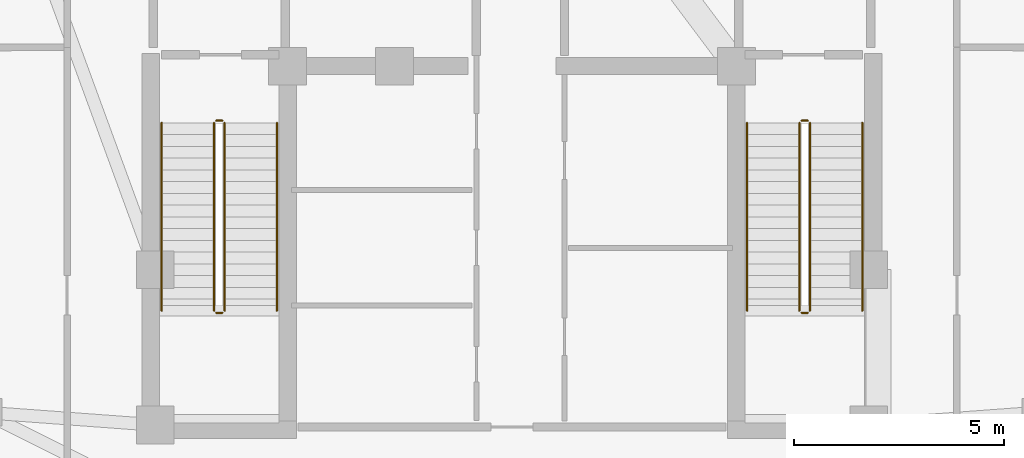
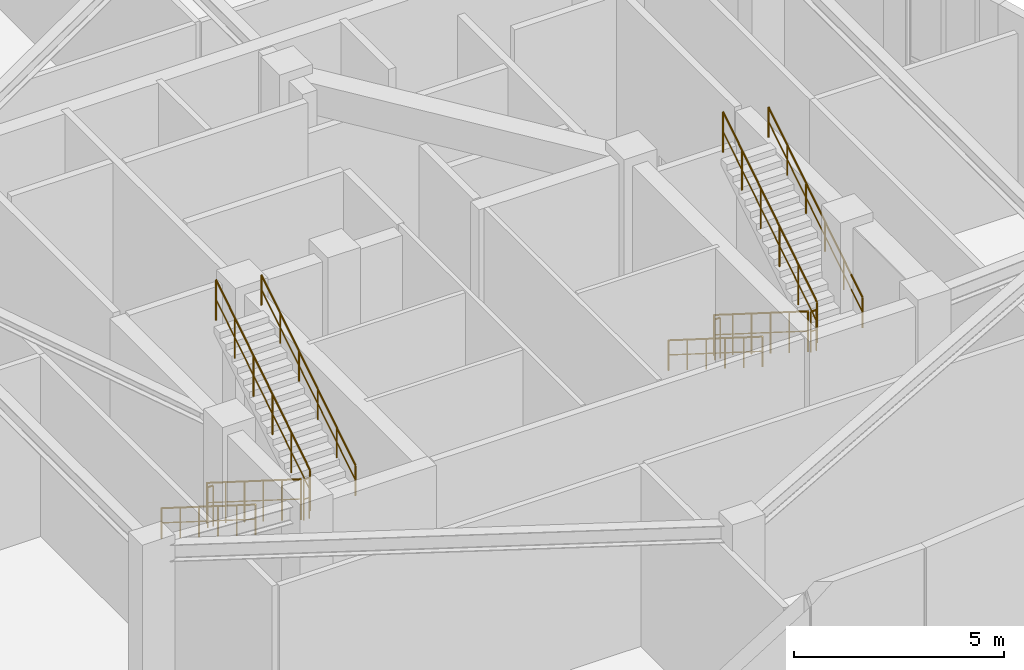
# One storey, part 11 of 11: 12 railings.
"""IFC4 building model written with IfcOpenShell, lengths in metres."""

from ifc_helpers import new_model, si_unit, direction, frame, origin, origin_2d, place, context, subcontext, project, spatial, circle, extrude, material, type_object, element, save


model = new_model("IFC4")

# Units and contexts
model_context = context("Model", 3, precision=1e-05, world=origin(), true_north=direction((0.0, 1.0)))
body_context = subcontext(model_context, "Body", "Model", "MODEL_VIEW")
ifc_project = project(units=[si_unit("LENGTHUNIT", "METRE"), si_unit("AREAUNIT", "SQUARE_METRE"), si_unit("VOLUMEUNIT", "CUBIC_METRE"), si_unit("PLANEANGLEUNIT", "RADIAN"), si_unit("MASSUNIT", "GRAM", prefix="KILO")], contexts=[model_context])

# Site, building, storey
site_placement = place(None, origin())
site = spatial("IfcSite", under=ifc_project, at=site_placement, CompositionType="ELEMENT")
building_placement = place(site_placement, origin())
building = spatial("IfcBuilding", under=site, at=building_placement, Name="Miruveldt Soraemaru", CompositionType="ELEMENT")
storey_placement = place(building_placement, frame((0.0, 0.0, 300.800048828125)))
storey = spatial("IfcBuildingStorey", under=building, at=storey_placement, Name="L80", CompositionType="ELEMENT", Elevation=300.800048828125)

# Railings
ifc_material = material(Name="Steel S355 (355 MPa)", Category="steel")
railing_type_1 = type_object("IfcRailingType", Name="RAIL-HR-900", PredefinedType="HANDRAIL", material=ifc_material)
railing_1_placement = place(storey_placement, frame((35.64990234375, 42.699951171875, 0.176513671875)))
element("IfcRailing", 1, at=railing_1_placement, inside=storey, type_object=railing_type_1, Name="L80 ST-1 stair handrail 1", PredefinedType="HANDRAIL", context=body_context, shape_type="SweptSolid", body=[
    extrude(circle(Radius=0.02392578125, at=origin_2d()), frame((0.0, 0.0, 0.8759765625), z_axis=(0.0, -0.845997938375, 0.533186166611), x_axis=(1.0, 0.0, 0.0)), (0.0, 0.0, 1.0), 5.29541015625),
    extrude(circle(Radius=0.01611328125, at=origin_2d()), frame((0.0, 0.0, 0.449951171875), z_axis=(0.0, -0.845997938375, 0.533186166611), x_axis=(1.0, 0.0, 0.0)), (0.0, 0.0, 1.0), 5.29541015625),
    extrude(circle(Radius=0.02099609375, at=origin_2d()), origin(), (0.0, 0.0, 1.0), 0.851806640625),
    extrude(circle(Radius=0.02099609375, at=origin_2d()), frame((0.0, -0.89599609375, 0.564697265625)), (0.0, 0.0, 1.0), 0.851806640625),
    extrude(circle(Radius=0.02099609375, at=origin_2d()), frame((0.0, -1.7919921875, 1.12939453125)), (0.0, 0.0, 1.0), 0.851806640625),
    extrude(circle(Radius=0.02099609375, at=origin_2d()), frame((0.0, -2.68798828125, 1.694091796875)), (0.0, 0.0, 1.0), 0.851806640625),
    extrude(circle(Radius=0.02099609375, at=origin_2d()), frame((0.0, -3.583984375, 2.2587890625)), (0.0, 0.0, 1.0), 0.851806640625),
    extrude(circle(Radius=0.02099609375, at=origin_2d()), frame((0.0, -4.47998046875, 2.823486328125)), (0.0, 0.0, 1.0), 0.851806640625),
])
railing_2_placement = place(storey_placement, frame((38.39990234375, 38.219970703125, 3.176513671875)))
element("IfcRailing", 2, at=railing_2_placement, inside=storey, type_object=railing_type_1, Name="L80 ST-1 stair handrail 2", PredefinedType="HANDRAIL", context=body_context, shape_type="SweptSolid", body=[
    extrude(circle(Radius=0.02392578125, at=origin_2d()), frame((0.0, 0.0, 0.8759765625), z_axis=(0.0, 0.845997938375, 0.533186166611), x_axis=(-1.0, 0.0, 0.0)), (0.0, 0.0, 1.0), 5.29541015625),
    extrude(circle(Radius=0.01611328125, at=origin_2d()), frame((0.0, 0.0, 0.449951171875), z_axis=(0.0, 0.845997938375, 0.533186166611), x_axis=(-1.0, 0.0, 0.0)), (0.0, 0.0, 1.0), 5.29541015625),
    extrude(circle(Radius=0.02099609375, at=origin_2d()), origin(), (0.0, 0.0, 1.0), 0.851806640625),
    extrude(circle(Radius=0.02099609375, at=origin_2d()), frame((0.0, 0.89599609375, 0.564697265625)), (0.0, 0.0, 1.0), 0.851806640625),
    extrude(circle(Radius=0.02099609375, at=origin_2d()), frame((0.0, 1.7919921875, 1.12939453125)), (0.0, 0.0, 1.0), 0.851806640625),
    extrude(circle(Radius=0.02099609375, at=origin_2d()), frame((0.0, 2.68798828125, 1.694091796875)), (0.0, 0.0, 1.0), 0.851806640625),
    extrude(circle(Radius=0.02099609375, at=origin_2d()), frame((0.0, 3.583984375, 2.2587890625)), (0.0, 0.0, 1.0), 0.851806640625),
    extrude(circle(Radius=0.02099609375, at=origin_2d()), frame((0.0, 4.47998046875, 2.823486328125)), (0.0, 0.0, 1.0), 0.851806640625),
])
railing_3_placement = place(storey_placement, frame((49.60009765625, 42.699951171875, 0.176513671875)))
element("IfcRailing", 3, at=railing_3_placement, inside=storey, type_object=railing_type_1, Name="L80 ST-2 stair handrail 1", PredefinedType="HANDRAIL", context=body_context, shape_type="SweptSolid", body=[
    extrude(circle(Radius=0.02392578125, at=origin_2d()), frame((0.0, 0.0, 0.8759765625), z_axis=(0.0, -0.845997938375, 0.533186166611), x_axis=(1.0, 0.0, 0.0)), (0.0, 0.0, 1.0), 5.29541015625),
    extrude(circle(Radius=0.01611328125, at=origin_2d()), frame((0.0, 0.0, 0.449951171875), z_axis=(0.0, -0.845997938375, 0.533186166611), x_axis=(1.0, 0.0, 0.0)), (0.0, 0.0, 1.0), 5.29541015625),
    extrude(circle(Radius=0.02099609375, at=origin_2d()), origin(), (0.0, 0.0, 1.0), 0.851806640625),
    extrude(circle(Radius=0.02099609375, at=origin_2d()), frame((0.0, -0.89599609375, 0.564697265625)), (0.0, 0.0, 1.0), 0.851806640625),
    extrude(circle(Radius=0.02099609375, at=origin_2d()), frame((0.0, -1.7919921875, 1.12939453125)), (0.0, 0.0, 1.0), 0.851806640625),
    extrude(circle(Radius=0.02099609375, at=origin_2d()), frame((0.0, -2.68798828125, 1.694091796875)), (0.0, 0.0, 1.0), 0.851806640625),
    extrude(circle(Radius=0.02099609375, at=origin_2d()), frame((0.0, -3.583984375, 2.2587890625)), (0.0, 0.0, 1.0), 0.851806640625),
    extrude(circle(Radius=0.02099609375, at=origin_2d()), frame((0.0, -4.47998046875, 2.823486328125)), (0.0, 0.0, 1.0), 0.851806640625),
])
railing_4_placement = place(storey_placement, frame((52.35009765625, 38.219970703125, 3.176513671875)))
element("IfcRailing", 4, at=railing_4_placement, inside=storey, type_object=railing_type_1, Name="L80 ST-2 stair handrail 2", PredefinedType="HANDRAIL", context=body_context, shape_type="SweptSolid", body=[
    extrude(circle(Radius=0.02392578125, at=origin_2d()), frame((0.0, 0.0, 0.8759765625), z_axis=(0.0, 0.845997938375, 0.533186166611), x_axis=(-1.0, 0.0, 0.0)), (0.0, 0.0, 1.0), 5.29541015625),
    extrude(circle(Radius=0.01611328125, at=origin_2d()), frame((0.0, 0.0, 0.449951171875), z_axis=(0.0, 0.845997938375, 0.533186166611), x_axis=(-1.0, 0.0, 0.0)), (0.0, 0.0, 1.0), 5.29541015625),
    extrude(circle(Radius=0.02099609375, at=origin_2d()), origin(), (0.0, 0.0, 1.0), 0.851806640625),
    extrude(circle(Radius=0.02099609375, at=origin_2d()), frame((0.0, 0.89599609375, 0.564697265625)), (0.0, 0.0, 1.0), 0.851806640625),
    extrude(circle(Radius=0.02099609375, at=origin_2d()), frame((0.0, 1.7919921875, 1.12939453125)), (0.0, 0.0, 1.0), 0.851806640625),
    extrude(circle(Radius=0.02099609375, at=origin_2d()), frame((0.0, 2.68798828125, 1.694091796875)), (0.0, 0.0, 1.0), 0.851806640625),
    extrude(circle(Radius=0.02099609375, at=origin_2d()), frame((0.0, 3.583984375, 2.2587890625)), (0.0, 0.0, 1.0), 0.851806640625),
    extrude(circle(Radius=0.02099609375, at=origin_2d()), frame((0.0, 4.47998046875, 2.823486328125)), (0.0, 0.0, 1.0), 0.851806640625),
])
railing_type_2 = type_object("IfcRailingType", Name="RAIL-STGUARD-1200", PredefinedType="GUARDRAIL", material=ifc_material)
railing_5_placement = place(storey_placement, frame((36.89990234375, 42.699951171875, 0.176513671875)))
element("IfcRailing", 5, at=railing_5_placement, inside=storey, type_object=railing_type_2, Name="L80 ST-1 stair guard 1", PredefinedType="GUARDRAIL", context=body_context, shape_type="SweptSolid", body=[
    extrude(circle(Radius=0.02392578125, at=origin_2d()), frame((0.0, 0.0, 1.17578125), z_axis=(0.0, -0.845997938375, 0.533186166611), x_axis=(1.0, 0.0, 0.0)), (0.0, 0.0, 1.0), 5.29541015625),
    extrude(circle(Radius=0.01611328125, at=origin_2d()), frame((0.0, 0.0, 0.60009765625), z_axis=(0.0, -0.845997938375, 0.533186166611), x_axis=(1.0, 0.0, 0.0)), (0.0, 0.0, 1.0), 5.29541015625),
    extrude(circle(Radius=0.02099609375, at=origin_2d()), origin(), (0.0, 0.0, 1.0), 1.15185546875),
    extrude(circle(Radius=0.02099609375, at=origin_2d()), frame((0.0, -0.89599609375, 0.564697265625)), (0.0, 0.0, 1.0), 1.15185546875),
    extrude(circle(Radius=0.02099609375, at=origin_2d()), frame((0.0, -1.7919921875, 1.12939453125)), (0.0, 0.0, 1.0), 1.15185546875),
    extrude(circle(Radius=0.02099609375, at=origin_2d()), frame((0.0, -2.68798828125, 1.694091796875)), (0.0, 0.0, 1.0), 1.15185546875),
    extrude(circle(Radius=0.02099609375, at=origin_2d()), frame((0.0, -3.583984375, 2.2587890625)), (0.0, 0.0, 1.0), 1.15185546875),
    extrude(circle(Radius=0.02099609375, at=origin_2d()), frame((0.0, -4.47998046875, 2.823486328125)), (0.0, 0.0, 1.0), 1.15185546875),
])
railing_6_placement = place(storey_placement, frame((36.949951171875, 38.169921875, 3.0)))
element("IfcRailing", 6, at=railing_6_placement, inside=storey, type_object=railing_type_2, Name="L80 ST-1 stair guard 2", PredefinedType="GUARDRAIL", context=body_context, shape_type="SweptSolid", body=[
    extrude(circle(Radius=0.02392578125, at=origin_2d()), frame((0.0, 0.0, 1.17578125), z_axis=(1.0, 0.0, 0.0), x_axis=(0.0, 1.0, 0.0)), (0.0, 0.0, 1.0), 0.150146484375),
    extrude(circle(Radius=0.01611328125, at=origin_2d()), frame((0.0, 0.0, 0.60009765625), z_axis=(1.0, 0.0, 0.0), x_axis=(0.0, 1.0, 0.0)), (0.0, 0.0, 1.0), 0.150146484375),
    extrude(circle(Radius=0.02099609375, at=origin_2d()), origin(), (0.0, 0.0, 1.0), 1.15185546875),
    extrude(circle(Radius=0.02099609375, at=origin_2d()), frame((0.150146484375, 0.0, 0.0)), (0.0, 0.0, 1.0), 1.15185546875),
])
railing_7_placement = place(storey_placement, frame((37.14990234375, 38.219970703125, 3.176513671875)))
element("IfcRailing", 7, at=railing_7_placement, inside=storey, type_object=railing_type_2, Name="L80 ST-1 stair guard 3", PredefinedType="GUARDRAIL", context=body_context, shape_type="SweptSolid", body=[
    extrude(circle(Radius=0.02392578125, at=origin_2d()), frame((0.0, 0.0, 1.17578125), z_axis=(0.0, 0.845997938375, 0.533186166611), x_axis=(-1.0, 0.0, 0.0)), (0.0, 0.0, 1.0), 5.29541015625),
    extrude(circle(Radius=0.01611328125, at=origin_2d()), frame((0.0, 0.0, 0.60009765625), z_axis=(0.0, 0.845997938375, 0.533186166611), x_axis=(-1.0, 0.0, 0.0)), (0.0, 0.0, 1.0), 5.29541015625),
    extrude(circle(Radius=0.02099609375, at=origin_2d()), origin(), (0.0, 0.0, 1.0), 1.15185546875),
    extrude(circle(Radius=0.02099609375, at=origin_2d()), frame((0.0, 0.89599609375, 0.564697265625)), (0.0, 0.0, 1.0), 1.15185546875),
    extrude(circle(Radius=0.02099609375, at=origin_2d()), frame((0.0, 1.7919921875, 1.12939453125)), (0.0, 0.0, 1.0), 1.15185546875),
    extrude(circle(Radius=0.02099609375, at=origin_2d()), frame((0.0, 2.68798828125, 1.694091796875)), (0.0, 0.0, 1.0), 1.15185546875),
    extrude(circle(Radius=0.02099609375, at=origin_2d()), frame((0.0, 3.583984375, 2.2587890625)), (0.0, 0.0, 1.0), 1.15185546875),
    extrude(circle(Radius=0.02099609375, at=origin_2d()), frame((0.0, 4.47998046875, 2.823486328125)), (0.0, 0.0, 1.0), 1.15185546875),
])
railing_8_placement = place(storey_placement, frame((36.949951171875, 42.75, 0.0)))
element("IfcRailing", 8, at=railing_8_placement, inside=storey, type_object=railing_type_2, Name="L80 ST-1 stair guard 4", PredefinedType="GUARDRAIL", context=body_context, shape_type="SweptSolid", body=[
    extrude(circle(Radius=0.02392578125, at=origin_2d()), frame((0.0, 0.0, 1.17578125), z_axis=(1.0, 0.0, 0.0), x_axis=(0.0, 1.0, 0.0)), (0.0, 0.0, 1.0), 0.150146484375),
    extrude(circle(Radius=0.01611328125, at=origin_2d()), frame((0.0, 0.0, 0.60009765625), z_axis=(1.0, 0.0, 0.0), x_axis=(0.0, 1.0, 0.0)), (0.0, 0.0, 1.0), 0.150146484375),
    extrude(circle(Radius=0.02099609375, at=origin_2d()), origin(), (0.0, 0.0, 1.0), 1.15185546875),
    extrude(circle(Radius=0.02099609375, at=origin_2d()), frame((0.150146484375, 0.0, 0.0)), (0.0, 0.0, 1.0), 1.15185546875),
])
railing_9_placement = place(storey_placement, frame((50.85009765625, 42.699951171875, 0.176513671875)))
element("IfcRailing", 9, at=railing_9_placement, inside=storey, type_object=railing_type_2, Name="L80 ST-2 stair guard 1", PredefinedType="GUARDRAIL", context=body_context, shape_type="SweptSolid", body=[
    extrude(circle(Radius=0.02392578125, at=origin_2d()), frame((0.0, 0.0, 1.17578125), z_axis=(0.0, -0.845997938375, 0.533186166611), x_axis=(1.0, 0.0, 0.0)), (0.0, 0.0, 1.0), 5.29541015625),
    extrude(circle(Radius=0.01611328125, at=origin_2d()), frame((0.0, 0.0, 0.60009765625), z_axis=(0.0, -0.845997938375, 0.533186166611), x_axis=(1.0, 0.0, 0.0)), (0.0, 0.0, 1.0), 5.29541015625),
    extrude(circle(Radius=0.02099609375, at=origin_2d()), origin(), (0.0, 0.0, 1.0), 1.15185546875),
    extrude(circle(Radius=0.02099609375, at=origin_2d()), frame((0.0, -0.89599609375, 0.564697265625)), (0.0, 0.0, 1.0), 1.15185546875),
    extrude(circle(Radius=0.02099609375, at=origin_2d()), frame((0.0, -1.7919921875, 1.12939453125)), (0.0, 0.0, 1.0), 1.15185546875),
    extrude(circle(Radius=0.02099609375, at=origin_2d()), frame((0.0, -2.68798828125, 1.694091796875)), (0.0, 0.0, 1.0), 1.15185546875),
    extrude(circle(Radius=0.02099609375, at=origin_2d()), frame((0.0, -3.583984375, 2.2587890625)), (0.0, 0.0, 1.0), 1.15185546875),
    extrude(circle(Radius=0.02099609375, at=origin_2d()), frame((0.0, -4.47998046875, 2.823486328125)), (0.0, 0.0, 1.0), 1.15185546875),
])
railing_10_placement = place(storey_placement, frame((50.89990234375, 38.169921875, 3.0)))
element("IfcRailing", 10, at=railing_10_placement, inside=storey, type_object=railing_type_2, Name="L80 ST-2 stair guard 2", PredefinedType="GUARDRAIL", context=body_context, shape_type="SweptSolid", body=[
    extrude(circle(Radius=0.02392578125, at=origin_2d()), frame((0.0, 0.0, 1.17578125), z_axis=(1.0, 0.0, 0.0), x_axis=(0.0, 1.0, 0.0)), (0.0, 0.0, 1.0), 0.150146484375),
    extrude(circle(Radius=0.01611328125, at=origin_2d()), frame((0.0, 0.0, 0.60009765625), z_axis=(1.0, 0.0, 0.0), x_axis=(0.0, 1.0, 0.0)), (0.0, 0.0, 1.0), 0.150146484375),
    extrude(circle(Radius=0.02099609375, at=origin_2d()), origin(), (0.0, 0.0, 1.0), 1.15185546875),
    extrude(circle(Radius=0.02099609375, at=origin_2d()), frame((0.150146484375, 0.0, 0.0)), (0.0, 0.0, 1.0), 1.15185546875),
])
railing_11_placement = place(storey_placement, frame((51.10009765625, 38.219970703125, 3.176513671875)))
element("IfcRailing", 11, at=railing_11_placement, inside=storey, type_object=railing_type_2, Name="L80 ST-2 stair guard 3", PredefinedType="GUARDRAIL", context=body_context, shape_type="SweptSolid", body=[
    extrude(circle(Radius=0.02392578125, at=origin_2d()), frame((0.0, 0.0, 1.17578125), z_axis=(0.0, 0.845997938375, 0.533186166611), x_axis=(-1.0, 0.0, 0.0)), (0.0, 0.0, 1.0), 5.29541015625),
    extrude(circle(Radius=0.01611328125, at=origin_2d()), frame((0.0, 0.0, 0.60009765625), z_axis=(0.0, 0.845997938375, 0.533186166611), x_axis=(-1.0, 0.0, 0.0)), (0.0, 0.0, 1.0), 5.29541015625),
    extrude(circle(Radius=0.02099609375, at=origin_2d()), origin(), (0.0, 0.0, 1.0), 1.15185546875),
    extrude(circle(Radius=0.02099609375, at=origin_2d()), frame((0.0, 0.89599609375, 0.564697265625)), (0.0, 0.0, 1.0), 1.15185546875),
    extrude(circle(Radius=0.02099609375, at=origin_2d()), frame((0.0, 1.7919921875, 1.12939453125)), (0.0, 0.0, 1.0), 1.15185546875),
    extrude(circle(Radius=0.02099609375, at=origin_2d()), frame((0.0, 2.68798828125, 1.694091796875)), (0.0, 0.0, 1.0), 1.15185546875),
    extrude(circle(Radius=0.02099609375, at=origin_2d()), frame((0.0, 3.583984375, 2.2587890625)), (0.0, 0.0, 1.0), 1.15185546875),
    extrude(circle(Radius=0.02099609375, at=origin_2d()), frame((0.0, 4.47998046875, 2.823486328125)), (0.0, 0.0, 1.0), 1.15185546875),
])
railing_12_placement = place(storey_placement, frame((50.89990234375, 42.75, 0.0)))
element("IfcRailing", 12, at=railing_12_placement, inside=storey, type_object=railing_type_2, Name="L80 ST-2 stair guard 4", PredefinedType="GUARDRAIL", context=body_context, shape_type="SweptSolid", body=[
    extrude(circle(Radius=0.02392578125, at=origin_2d()), frame((0.0, 0.0, 1.17578125), z_axis=(1.0, 0.0, 0.0), x_axis=(0.0, 1.0, 0.0)), (0.0, 0.0, 1.0), 0.150146484375),
    extrude(circle(Radius=0.01611328125, at=origin_2d()), frame((0.0, 0.0, 0.60009765625), z_axis=(1.0, 0.0, 0.0), x_axis=(0.0, 1.0, 0.0)), (0.0, 0.0, 1.0), 0.150146484375),
    extrude(circle(Radius=0.02099609375, at=origin_2d()), origin(), (0.0, 0.0, 1.0), 1.15185546875),
    extrude(circle(Radius=0.02099609375, at=origin_2d()), frame((0.150146484375, 0.0, 0.0)), (0.0, 0.0, 1.0), 1.15185546875),
])

save(model, "model.ifc")
